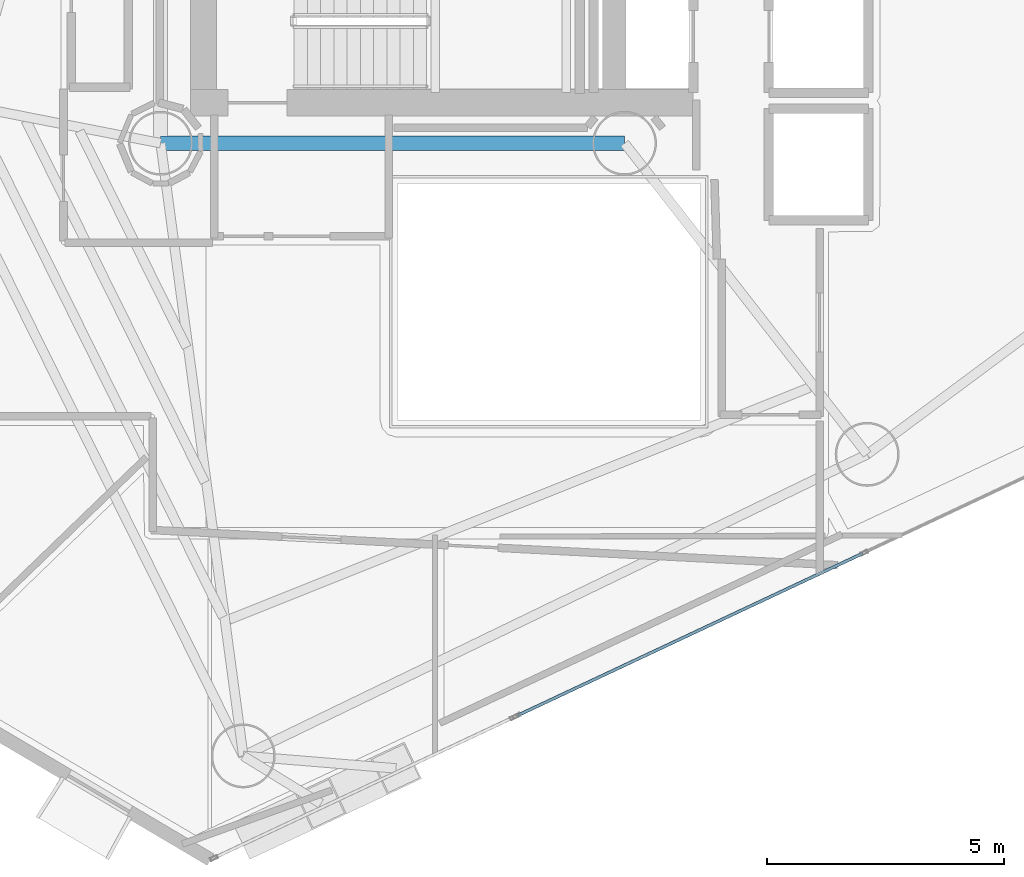
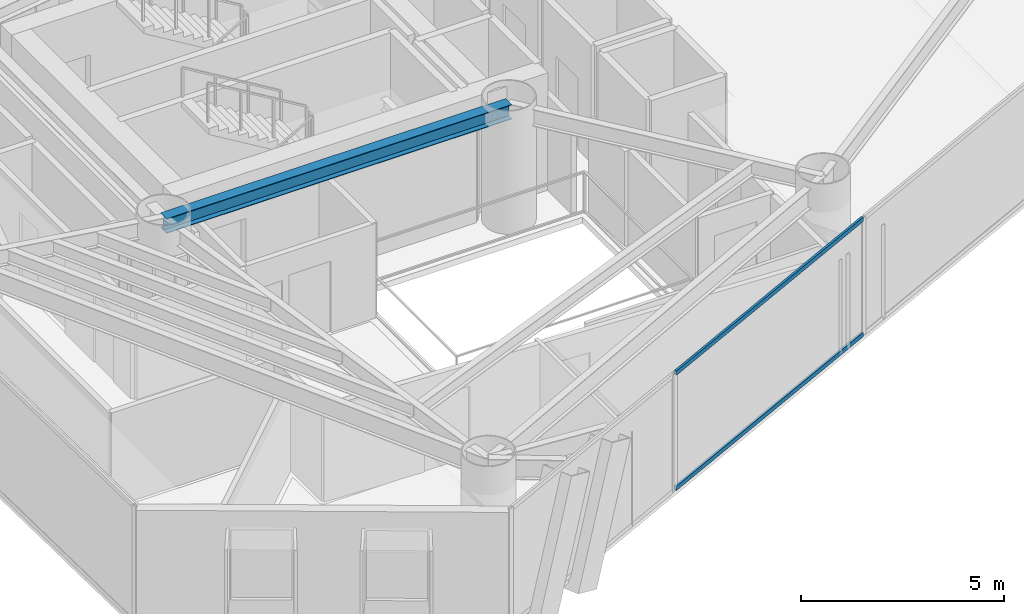
# One storey, part 5 of 20: 2 members, 1 beam, 1 element without a shape of its own.
"""IFC4 building model written with IfcOpenShell, lengths in metres."""

from ifc_helpers import new_model, si_unit, direction, frame, origin, origin_2d, place, context, subcontext, project, spatial, hollow_rectangle, i_section, extrude, material, layer, layer_set, material_profile, profile_set, type_object, element, aggregate, save


model = new_model("IFC4")

# Units and contexts
model_context = context("Model", 3, precision=1e-05, world=origin(), true_north=direction((0.0, 1.0)))
body_context = subcontext(model_context, "Body", "Model", "MODEL_VIEW")
ifc_project = project(units=[si_unit("LENGTHUNIT", "METRE"), si_unit("AREAUNIT", "SQUARE_METRE"), si_unit("VOLUMEUNIT", "CUBIC_METRE"), si_unit("PLANEANGLEUNIT", "RADIAN"), si_unit("MASSUNIT", "GRAM", prefix="KILO")], contexts=[model_context])

# Site, building, storey
site_placement = place(None, origin())
site = spatial("IfcSite", under=ifc_project, at=site_placement, CompositionType="ELEMENT")
building_placement = place(site_placement, origin())
building = spatial("IfcBuilding", under=site, at=building_placement, Name="Qianvela Tower", CompositionType="ELEMENT")
storey_placement = place(building_placement, frame((0.0, 0.0, 151.300048828125)))
storey = spatial("IfcBuildingStorey", under=building, at=storey_placement, Name="L38", CompositionType="ELEMENT", Elevation=151.300048828125)

# Beam
ifc_material_1 = material(Name="Steel Q355B", Category="steel")
ifc_material_profile_1 = material_profile(ifc_material_1, i_section(OverallWidth=0.300048828125, OverallDepth=0.43994140625, WebThickness=0.010986328125, FlangeThickness=0.01806640625, at=origin_2d()), Name="HM440x300x11x18")
ifc_profile_set_1 = profile_set([ifc_material_profile_1], Name="Steel Q355B")
beam_type = type_object("IfcBeamType", Name="BM-HM440-COLL", PredefinedType="BEAM", material=ifc_profile_set_1)
beam_placement = place(storey_placement, frame((28.60009765625, 23.85009765625, 3.2978515625), z_axis=(1.0, 0.0, 0.0), x_axis=(0.0, 1.0, 0.0)))
element("IfcBeam", 1, at=beam_placement, inside=storey, type_object=beam_type, Name="L38 Core Ring Collector Girder CC1", PredefinedType="BEAM", context=body_context, shape_type="SweptSolid", body=[
    extrude(i_section(OverallWidth=0.300048828125, OverallDepth=0.43994140625, WebThickness=0.010986328125, FlangeThickness=0.01806640625, at=origin_2d()), origin(), (0.0, 0.0, 1.0), 9.7998046875),
])

# Curtain wall, members
ifc_material_2 = material(Name="Anodised Architectural Aluminium and Low-E Glass", Category="aluminium")
ifc_layer = layer(ifc_material_2, 0.169921875)
ifc_layer_set = layer_set([ifc_layer], Name="Anodised Architectural Aluminium and Low-E Glass")
curtain_wall_type = type_object("IfcCurtainWallType", Name="CW-COLIV-Z34", PredefinedType="USERDEFINED", material=ifc_layer_set)
curtain_wall_placement = place(storey_placement, origin())
curtain_wall = element("IfcCurtainWall", 2, at=curtain_wall_placement, inside=storey, type_object=curtain_wall_type, Name="L38 CW-COLIV-Z34 Curtain Wall 06B", ObjectType="CURTAIN_WALL_SYSTEM", PredefinedType="USERDEFINED")
ifc_material_3 = material(Name="Anodised Architectural Aluminium 6063-T6", Category="aluminium")
ifc_material_profile_2 = material_profile(ifc_material_3, hollow_rectangle(XDim=0.06494140625, YDim=0.1298828125, WallThickness=0.00439453125, at=origin_2d()), Name="ALU-TRAN-65x130")
ifc_profile_set_2 = profile_set([ifc_material_profile_2], Name="Anodised Architectural Aluminium 6063-T6")
member_type = type_object("IfcMemberType", Name="CW-COLIV-Z34-TRAN", PredefinedType="USERDEFINED", material=ifc_profile_set_2)
member_1_placement = place(storey_placement, frame((36.14990234375, 11.7666015625, 0.032470703125), z_axis=(0.905171898888, 0.425045683972, 0.0), x_axis=(-0.425045683972, 0.905171898888, 0.0)))
member_1 = element("IfcMember", 3, at=member_1_placement, type_object=member_type, Name="CW-4 transom 1.1", ObjectType="TRANSOM", PredefinedType="USERDEFINED", context=body_context, shape_type="SweptSolid", body=[
    extrude(hollow_rectangle(XDim=0.06494140625, YDim=0.1298828125, WallThickness=0.00439453125, at=origin_2d()), origin(), (0.0, 0.0, 1.0), 8.044921875),
])
member_2_placement = place(storey_placement, frame((36.14990234375, 11.7666015625, 3.487548828125), z_axis=(0.905171898888, 0.425045683972, 0.0), x_axis=(-0.425045683972, 0.905171898888, 0.0)))
member_2 = element("IfcMember", 4, at=member_2_placement, type_object=member_type, Name="CW-4 transom 1.2", ObjectType="TRANSOM", PredefinedType="USERDEFINED", context=body_context, shape_type="SweptSolid", body=[
    extrude(hollow_rectangle(XDim=0.06494140625, YDim=0.1298828125, WallThickness=0.00439453125, at=origin_2d()), origin(), (0.0, 0.0, 1.0), 8.044921875),
])
aggregate(curtain_wall, [member_1, member_2])

save(model, "model.ifc")
